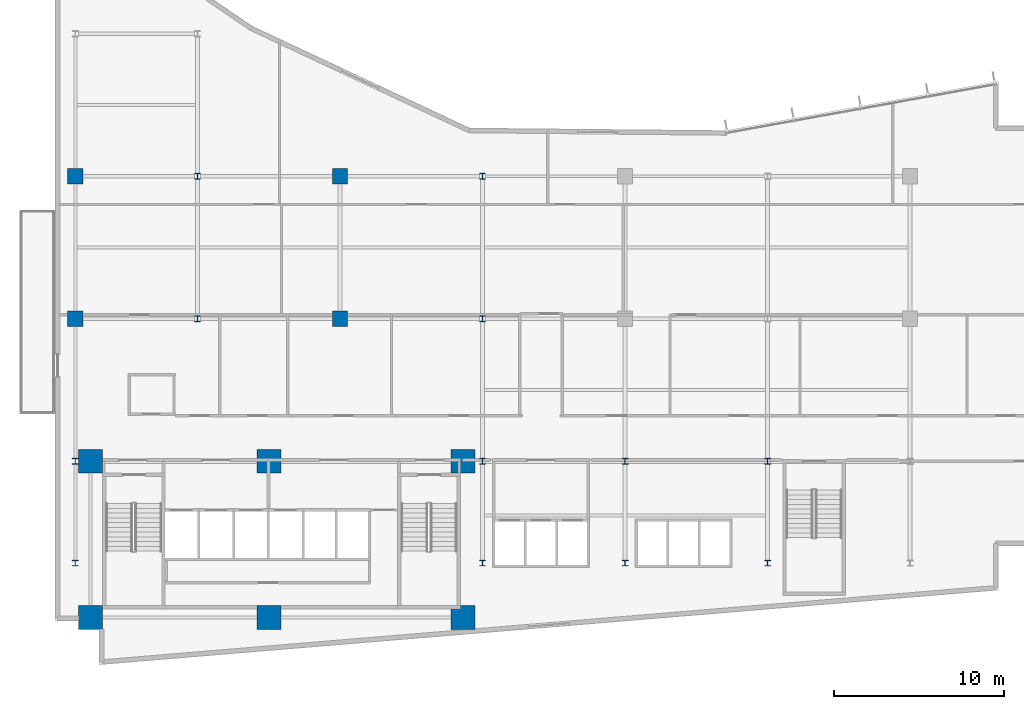
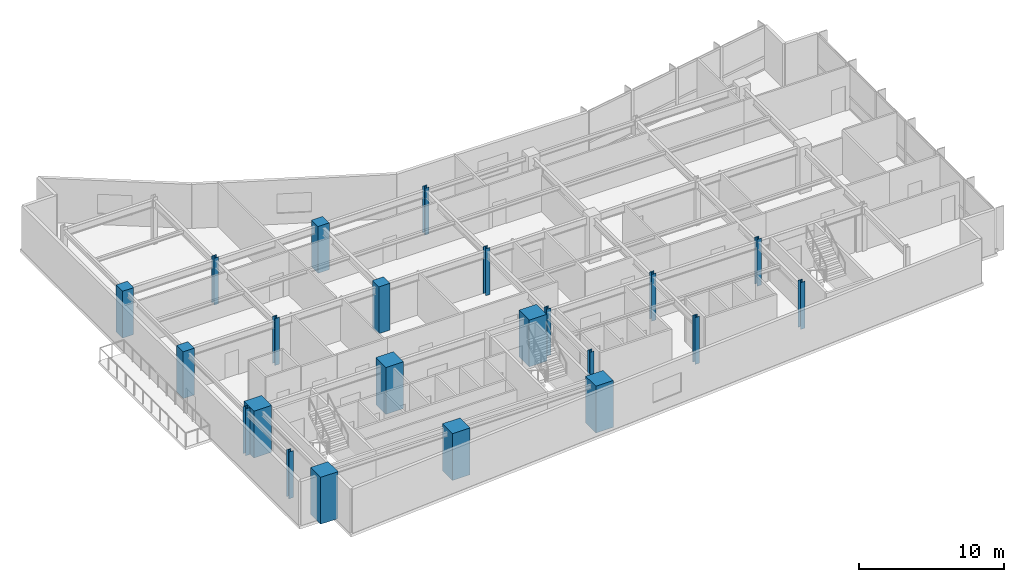
# One storey, part 1 of 20: 22 columns.
"""IFC4 building model written with IfcOpenShell, lengths in metres."""

import ifcopenshell
import ifcopenshell.guid

model = None  # the IFC model being written
_history = None  # IfcOwnerHistory: only IFC2X3 demands one
_inside = {}  # id of a spatial element -> (the spatial element, [elements in it])
_under = {}  # id of a project, library or spatial element -> (it, [spatial elements below it])
_declared = {}  # id of a project -> (the project, [libraries it declares])
_typed = {}  # id of a type object -> (the type object, [elements of that type])
_made_of = {}  # id of a material, layer set ... -> (it, [elements and type objects made of it])


def new_model(schema):
    """Start an empty IFC model of exactly this schema.

    Asked for "IFC4X3", IfcOpenShell would pick the latest addendum, in which some entities
    have other attributes; the version numbers below select the first issue.
    IFC2X3 requires an IfcOwnerHistory on every rooted entity: one is made here for all.
    """
    global model, _history
    if schema == "IFC4X3":
        model = ifcopenshell.file(schema_version=(4, 3, 0, 0))
    else:
        model = ifcopenshell.file(schema=schema)
    _inside.clear()
    _under.clear()
    _declared.clear()
    _typed.clear()
    _made_of.clear()
    _history = None
    if model.schema == "IFC2X3":
        org = make("IfcOrganization", Name="unknown")
        user = make(
            "IfcPersonAndOrganization",
            ThePerson=make("IfcPerson", FamilyName="unknown"),
            TheOrganization=org,
        )
        app = make(
            "IfcApplication",
            ApplicationDeveloper=org,
            Version="unknown",
            ApplicationFullName="unknown",
            ApplicationIdentifier="unknown",
        )
        _history = make(
            "IfcOwnerHistory",
            OwningUser=user,
            OwningApplication=app,
            ChangeAction="ADDED",
            CreationDate=0,
        )
    return model


def make(cls, **values):
    """One entity of the class cls with the attributes given. An attribute that is None is left unset."""
    return model.create_entity(
        cls, **{name: value for name, value in values.items() if value is not None}
    )


def rooted(cls, **values):
    """An entity with a GlobalId (a new one), such as an element, a storey or a relation."""
    return make(cls, GlobalId=ifcopenshell.guid.new(), OwnerHistory=_history, **values)


def si_unit(unit_type, name, prefix=None):
    """IfcSIUnit, for example si_unit("LENGTHUNIT", "METRE", prefix="MILLI")."""
    return make("IfcSIUnit", UnitType=unit_type, Prefix=prefix, Name=name)


def assignment(units):
    """IfcUnitAssignment: the units of a project."""
    return None if units is None else make("IfcUnitAssignment", Units=units)


def point(xyz):
    """IfcCartesianPoint."""
    return None if xyz is None else make("IfcCartesianPoint", Coordinates=xyz)


def direction(xyz):
    """IfcDirection."""
    return None if xyz is None else make("IfcDirection", DirectionRatios=xyz)


def frame(location, z_axis=None, x_axis=None):
    """IfcAxis2Placement3D, a coordinate frame: its origin and axes. An axis left out is left unset."""
    return make(
        "IfcAxis2Placement3D",
        Location=point(location),
        Axis=direction(z_axis),
        RefDirection=direction(x_axis),
    )


def frame_2d(location, x_axis=None):
    """IfcAxis2Placement2D, a coordinate frame in the plane: its origin and x axis."""
    return make(
        "IfcAxis2Placement2D", Location=point(location), RefDirection=direction(x_axis)
    )


def origin():
    """The frame at (0, 0, 0) with its axes left unset."""
    return frame((0.0, 0.0, 0.0))


def origin_2d():
    """The frame at (0, 0) in the plane with its x axis left unset."""
    return frame_2d((0.0, 0.0))


def place(relative_to, where):
    """IfcLocalPlacement: puts the frame where relative to a parent placement (None: the world)."""
    return make(
        "IfcLocalPlacement", PlacementRelTo=relative_to, RelativePlacement=where
    )


def context(
    kind, dimensions, precision=None, world=None, true_north=None, identifier=None
):
    """IfcGeometricRepresentationContext, for example the 3D "Model" context."""
    return make(
        "IfcGeometricRepresentationContext",
        ContextIdentifier=identifier,
        ContextType=kind,
        CoordinateSpaceDimension=dimensions,
        Precision=precision,
        WorldCoordinateSystem=world,
        TrueNorth=true_north,
    )


def subcontext(parent, identifier, kind, view, scale=None):
    """IfcGeometricRepresentationSubContext, for example "Body" below "Model"."""
    return make(
        "IfcGeometricRepresentationSubContext",
        ContextIdentifier=identifier,
        ContextType=kind,
        ParentContext=parent,
        TargetScale=scale,
        TargetView=view,
    )


def project(units=None, contexts=None):
    """IfcProject with its units and contexts."""
    return rooted(
        "IfcProject",
        Name="project",
        RepresentationContexts=contexts,
        UnitsInContext=assignment(units),
    )


def spatial(cls, under=None, at=None, **own):
    """A site, building, storey or space (cls), placed at a placement, below another one or the project."""
    s = rooted(cls, ObjectPlacement=at, **own)
    if under is not None:
        _under.setdefault(under.id(), (under, []))[1].append(s)
    return s


def profile(cls, at=None, kind="AREA", **sizes):
    """A parametric profile (cls). Its sizes go by their IFC names, for example OverallWidth=200.0."""
    return make(cls, ProfileType=kind, Position=at, **sizes)


def rectangle(**sizes):
    """IfcRectangleProfileDef."""
    return profile("IfcRectangleProfileDef", **sizes)


def i_section(**sizes):
    """IfcIShapeProfileDef."""
    return profile("IfcIShapeProfileDef", **sizes)


def extrude(swept, where, along, depth):
    """IfcExtrudedAreaSolid: the profile swept, set in the frame where, extruded along a direction by depth."""
    return make(
        "IfcExtrudedAreaSolid",
        SweptArea=swept,
        Position=where,
        ExtrudedDirection=direction(along),
        Depth=depth,
    )


def shape(context_of_items, identifier, shape_type, items):
    """IfcShapeRepresentation: the items that make up one representation, for example the "Body"."""
    return make(
        "IfcShapeRepresentation",
        ContextOfItems=context_of_items,
        RepresentationIdentifier=identifier,
        RepresentationType=shape_type,
        Items=items,
    )


def material(Name=None, Category=None):
    """IfcMaterial."""
    return make("IfcMaterial", Name=Name, Category=Category)


def material_profile(
    of_material, cross_section, Name=None, Category=None, Priority=None
):
    """IfcMaterialProfile: a cross section and its material."""
    return make(
        "IfcMaterialProfile",
        Name=Name,
        Material=of_material,
        Profile=cross_section,
        Priority=Priority,
        Category=Category,
    )


def profile_set(profiles, Name=None, composite=None):
    """IfcMaterialProfileSet."""
    return make(
        "IfcMaterialProfileSet",
        Name=Name,
        MaterialProfiles=profiles,
        CompositeProfile=composite,
    )


def made_of(thing, what):
    """Note that an element or type object is made of a material, layer set ...; save() writes the relation."""
    if what is not None:
        _made_of.setdefault(what.id(), (what, []))[1].append(thing)
    return thing


def type_object(cls, material=None, **own):
    """A type object (cls), such as IfcWallType, which elements share."""
    return made_of(rooted(cls, **own), material)


def element(
    cls,
    number,
    at=None,
    inside=None,
    cuts=None,
    type_object=None,
    material=None,
    context=None,
    identifier="Body",
    shape_type=None,
    held_by="IfcProductDefinitionShape",
    body=None,
    shapes=None,
    **own,
):
    """One element of the class cls, such as IfcWall. Its Tag is "e" and its number.

    at: its placement. inside: the storey or other place that contains it. cuts: it is an
    opening in that element (IfcRelVoidsElement). A single representation is given by context,
    identifier, shape_type and body (its items); several are given by shapes. held_by: the class
    of the entity that holds the representations. save() writes the other relations.
    """
    e = rooted(cls, Tag="e%d" % number, ObjectPlacement=at, **own)
    if body is not None:
        shapes = [shape(context, identifier, shape_type, body)]
    if shapes is not None:
        e.Representation = make(held_by, Representations=shapes)
    if inside is not None:
        _inside.setdefault(inside.id(), (inside, []))[1].append(e)
    if cuts is not None:
        rooted(
            "IfcRelVoidsElement", RelatingBuildingElement=cuts, RelatedOpeningElement=e
        )
    if type_object is not None:
        _typed.setdefault(type_object.id(), (type_object, []))[1].append(e)
    return made_of(e, material)


def aggregate(whole, parts):
    """IfcRelAggregates: a whole, such as a stair, and the parts it consists of."""
    return rooted("IfcRelAggregates", RelatingObject=whole, RelatedObjects=parts)


def save(model, path):
    """Write the relations noted so far, then the file.

    IfcRelAggregates (storeys below a building ...), IfcRelContainedInSpatialStructure (elements
    in a storey), IfcRelDefinesByType, IfcRelAssociatesMaterial and IfcRelDeclares: one each for
    every whole, place, type object, material and project.
    """
    for whole, parts in _under.values():
        aggregate(whole, parts)
    for where, things in _inside.values():
        rooted(
            "IfcRelContainedInSpatialStructure",
            RelatedElements=things,
            RelatingStructure=where,
        )
    for kind, things in _typed.values():
        rooted("IfcRelDefinesByType", RelatedObjects=things, RelatingType=kind)
    for what, things in _made_of.values():
        rooted("IfcRelAssociatesMaterial", RelatedObjects=things, RelatingMaterial=what)
    for by, libraries in _declared.values():
        rooted("IfcRelDeclares", RelatingContext=by, RelatedDefinitions=libraries)
    model.write(path)


model = new_model("IFC4")

# Units and contexts
model_context = context("Model", 3, precision=1e-05, world=origin(), true_north=direction((0.0, 1.0)))
body_context = subcontext(model_context, "Body", "Model", "MODEL_VIEW")
ifc_project = project(units=[si_unit("LENGTHUNIT", "METRE"), si_unit("AREAUNIT", "SQUARE_METRE"), si_unit("VOLUMEUNIT", "CUBIC_METRE"), si_unit("PLANEANGLEUNIT", "RADIAN"), si_unit("MASSUNIT", "GRAM", prefix="KILO")], contexts=[model_context])

# Site, building, storey
site_placement = place(None, origin())
site = spatial("IfcSite", under=ifc_project, at=site_placement, CompositionType="ELEMENT")
building_placement = place(site_placement, origin())
building = spatial("IfcBuilding", under=site, at=building_placement, Name="Varnakote Quay Hospital", CompositionType="ELEMENT")
storey_placement = place(building_placement, frame((0.0, 0.0, 46.199951171875)))
storey = spatial("IfcBuildingStorey", under=building, at=storey_placement, Name="L11", CompositionType="ELEMENT", Elevation=46.199951171875)

# Columns
ifc_material_1 = material(Name="Concrete N80 (f'c 80 MPa)", Category="concrete")
ifc_material_profile_1 = material_profile(ifc_material_1, rectangle(XDim=1.39990234375, YDim=1.39990234375, at=origin_2d()), Name="RC-COL-1400x1400")
ifc_profile_set_1 = profile_set([ifc_material_profile_1], Name="Concrete N80 (f'c 80 MPa)")
column_type_1 = type_object("IfcColumnType", Name="COL-RC-1400", PredefinedType="COLUMN", material=ifc_profile_set_1)
for number, where, z_axis, x_axis, name in (
    (1, (2.10009765625, 2.800048828125, 0.0), (0.0, 0.0, 1.0), (1.0, 0.0, 0.0), "L11 Structural Column C-2-3"),
    (2, (12.6201171875, 2.800048828125, 0.0), (0.0, 0.0, 1.0), (1.0, 0.0, 0.0), "L11 Structural Column C-13-3"),
    (3, (24.050048828125, 2.800048828125, 0.0), (0.0, 0.0, 1.0), (1.0, 0.0, 0.0), "L11 Structural Column C-24-3"),
    (4, (2.10009765625, 12.0, 0.0), (0.0, 0.0, 1.0), (1.0, 0.0, 0.0), "L11 Structural Column C-2-12"),
    (5, (12.6201171875, 12.0, 0.0), (0.0, 0.0, 1.0), (1.0, 0.0, 0.0), "L11 Structural Column C-13-12"),
    (6, (24.050048828125, 12.0, 0.0), (0.0, 0.0, 1.0), (1.0, 0.0, 0.0), "L11 Structural Column C-24-12"),
):
    element("IfcColumn", number, at=place(storey_placement, frame(where, z_axis=z_axis, x_axis=x_axis)), inside=storey, type_object=column_type_1, Name=name, PredefinedType="COLUMN", context=body_context, shape_type="SweptSolid", body=[
        extrude(rectangle(XDim=1.39990234375, YDim=1.39990234375, at=origin_2d()), origin(), (0.0, 0.0, 1.0), 3.949951171875),
    ])
ifc_material_2 = material(Name="Concrete N50 (f'c 50 MPa)", Category="concrete")
ifc_material_profile_2 = material_profile(ifc_material_2, rectangle(XDim=0.89990234375, YDim=0.89990234375, at=origin_2d()), Name="RC-COL-900x900")
ifc_profile_set_2 = profile_set([ifc_material_profile_2], Name="Concrete N50 (f'c 50 MPa)")
column_type_2 = type_object("IfcColumnType", Name="COL-RC-900", PredefinedType="COLUMN", material=ifc_profile_set_2)
for number, where, z_axis, x_axis, name in (
    (7, (1.199951171875, 20.39990234375, 0.0), (0.0, 0.0, 1.0), (1.0, 0.0, 0.0), "L11 Structural Column C-1-20"),
    (8, (16.800048828125, 20.39990234375, 0.0), (0.0, 0.0, 1.0), (1.0, 0.0, 0.0), "L11 Structural Column C-17-20"),
    (9, (1.199951171875, 28.800048828125, 0.0), (0.0, 0.0, 1.0), (1.0, 0.0, 0.0), "L11 Structural Column C-1-29"),
    (10, (16.800048828125, 28.800048828125, 0.0), (0.0, 0.0, 1.0), (1.0, 0.0, 0.0), "L11 Structural Column C-17-29"),
):
    element("IfcColumn", number, at=place(storey_placement, frame(where, z_axis=z_axis, x_axis=x_axis)), inside=storey, type_object=column_type_2, Name=name, PredefinedType="COLUMN", context=body_context, shape_type="SweptSolid", body=[
        extrude(rectangle(XDim=0.89990234375, YDim=0.89990234375, at=origin_2d()), origin(), (0.0, 0.0, 1.0), 3.949951171875),
    ])
ifc_material_3 = material(Name="Structural steel AS/NZS 3678 Grade 350 (fy 340 MPa)", Category="steel")
ifc_material_profile_3 = material_profile(ifc_material_3, i_section(OverallWidth=0.35009765625, OverallDepth=0.340087890625, WebThickness=0.01611328125, FlangeThickness=0.028076171875, at=origin_2d()), Name="350WC197")
ifc_profile_set_3 = profile_set([ifc_material_profile_3], Name="Structural steel AS/NZS 3678 Grade 350 (fy 340 MPa)")
column_type_3 = type_object("IfcColumnType", Name="COL-STL-350WC197", PredefinedType="COLUMN", material=ifc_profile_set_3)
for number, where, z_axis, x_axis, name in (
    (11, (1.199951171875, 6.0, 0.0), (0.0, 0.0, 1.0), (1.0, 0.0, 0.0), "L11 Structural Column C-1-6"),
    (12, (25.199951171875, 6.0, 0.0), (0.0, 0.0, 1.0), (1.0, 0.0, 0.0), "L11 Structural Column C-25-6"),
    (13, (33.60009765625, 6.0, 0.0), (0.0, 0.0, 1.0), (1.0, 0.0, 0.0), "L11 Structural Column C-34-6"),
    (14, (42.0, 6.0, 0.0), (0.0, 0.0, 1.0), (1.0, 0.0, 0.0), "L11 Structural Column C-42-6"),
    (15, (1.199951171875, 12.0, 0.0), (0.0, 0.0, 1.0), (1.0, 0.0, 0.0), "L11 Structural Column C-1-12"),
    (16, (25.199951171875, 12.0, 0.0), (0.0, 0.0, 1.0), (1.0, 0.0, 0.0), "L11 Structural Column C-25-12"),
    (17, (33.60009765625, 12.0, 0.0), (0.0, 0.0, 1.0), (1.0, 0.0, 0.0), "L11 Structural Column C-34-12"),
    (18, (42.0, 12.0, 0.0), (0.0, 0.0, 1.0), (1.0, 0.0, 0.0), "L11 Structural Column C-42-12"),
    (19, (8.39990234375, 20.39990234375, 0.0), (0.0, 0.0, 1.0), (1.0, 0.0, 0.0), "L11 Structural Column C-8-20"),
    (20, (25.199951171875, 20.39990234375, 0.0), (0.0, 0.0, 1.0), (1.0, 0.0, 0.0), "L11 Structural Column C-25-20"),
    (21, (8.39990234375, 28.800048828125, 0.0), (0.0, 0.0, 1.0), (1.0, 0.0, 0.0), "L11 Structural Column C-8-29"),
    (22, (25.199951171875, 28.800048828125, 0.0), (0.0, 0.0, 1.0), (1.0, 0.0, 0.0), "L11 Structural Column C-25-29"),
):
    element("IfcColumn", number, at=place(storey_placement, frame(where, z_axis=z_axis, x_axis=x_axis)), inside=storey, type_object=column_type_3, Name=name, PredefinedType="COLUMN", context=body_context, shape_type="SweptSolid", body=[
        extrude(i_section(OverallWidth=0.35009765625, OverallDepth=0.340087890625, WebThickness=0.01611328125, FlangeThickness=0.028076171875, at=origin_2d()), origin(), (0.0, 0.0, 1.0), 3.949951171875),
    ])

save(model, "model.ifc")
